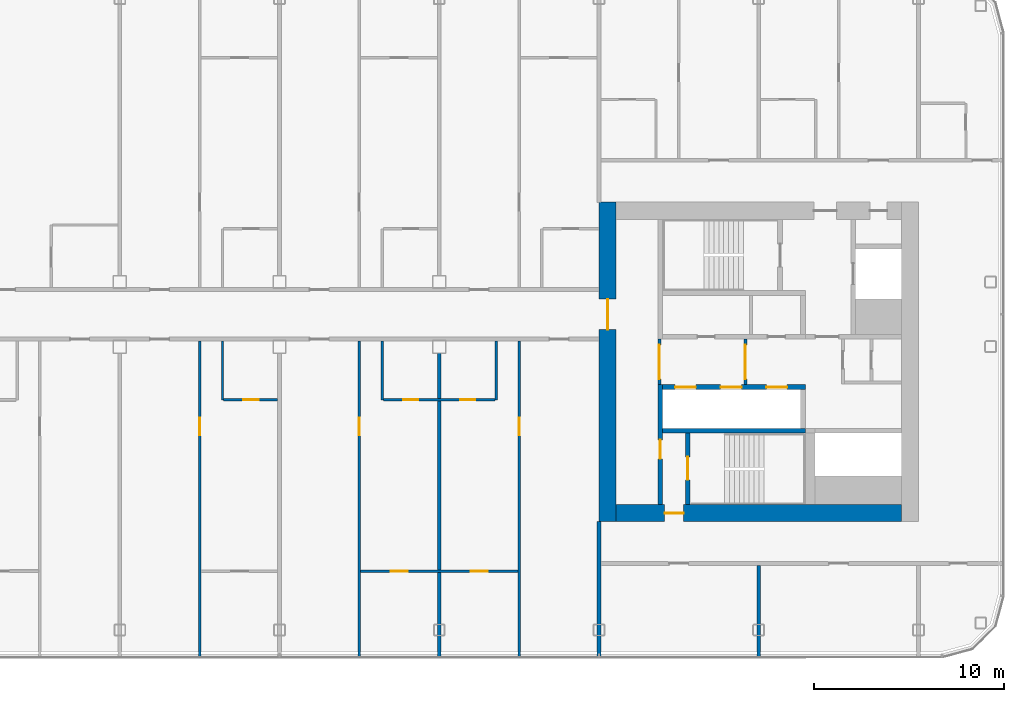
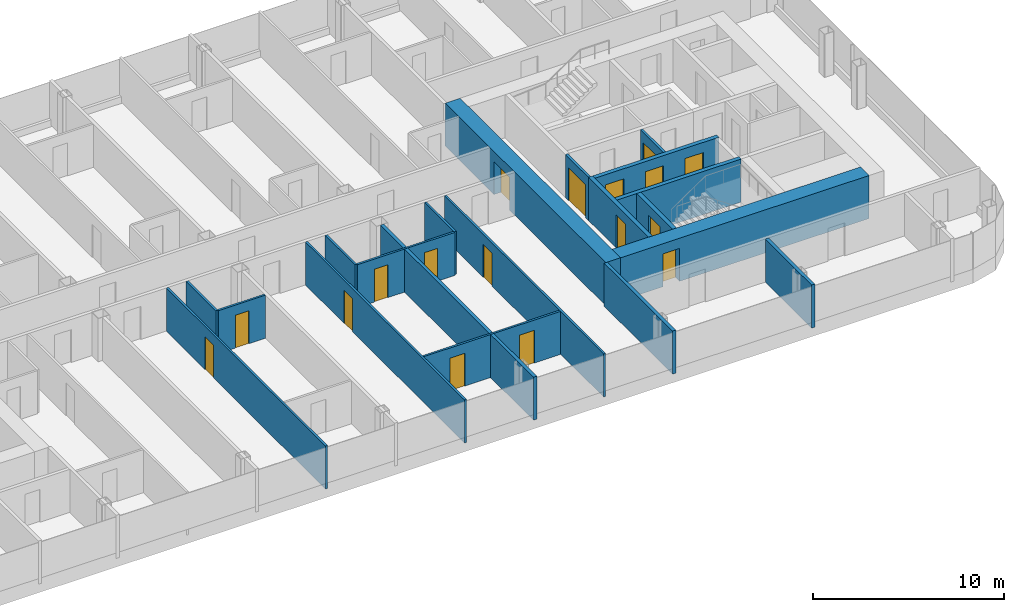
# One storey, part 15 of 26: 20 walls, 17 doors, 17 openings.
"""IFC4 building model written with IfcOpenShell, lengths in metres."""

import ifcopenshell
import ifcopenshell.guid

model = None  # the IFC model being written
_history = None  # IfcOwnerHistory: only IFC2X3 demands one
_inside = {}  # id of a spatial element -> (the spatial element, [elements in it])
_under = {}  # id of a project, library or spatial element -> (it, [spatial elements below it])
_declared = {}  # id of a project -> (the project, [libraries it declares])
_typed = {}  # id of a type object -> (the type object, [elements of that type])
_made_of = {}  # id of a material, layer set ... -> (it, [elements and type objects made of it])


def new_model(schema):
    """Start an empty IFC model of exactly this schema.

    Asked for "IFC4X3", IfcOpenShell would pick the latest addendum, in which some entities
    have other attributes; the version numbers below select the first issue.
    IFC2X3 requires an IfcOwnerHistory on every rooted entity: one is made here for all.
    """
    global model, _history
    if schema == "IFC4X3":
        model = ifcopenshell.file(schema_version=(4, 3, 0, 0))
    else:
        model = ifcopenshell.file(schema=schema)
    _inside.clear()
    _under.clear()
    _declared.clear()
    _typed.clear()
    _made_of.clear()
    _history = None
    if model.schema == "IFC2X3":
        org = make("IfcOrganization", Name="unknown")
        user = make(
            "IfcPersonAndOrganization",
            ThePerson=make("IfcPerson", FamilyName="unknown"),
            TheOrganization=org,
        )
        app = make(
            "IfcApplication",
            ApplicationDeveloper=org,
            Version="unknown",
            ApplicationFullName="unknown",
            ApplicationIdentifier="unknown",
        )
        _history = make(
            "IfcOwnerHistory",
            OwningUser=user,
            OwningApplication=app,
            ChangeAction="ADDED",
            CreationDate=0,
        )
    return model


def make(cls, **values):
    """One entity of the class cls with the attributes given. An attribute that is None is left unset."""
    return model.create_entity(
        cls, **{name: value for name, value in values.items() if value is not None}
    )


def rooted(cls, **values):
    """An entity with a GlobalId (a new one), such as an element, a storey or a relation."""
    return make(cls, GlobalId=ifcopenshell.guid.new(), OwnerHistory=_history, **values)


def si_unit(unit_type, name, prefix=None):
    """IfcSIUnit, for example si_unit("LENGTHUNIT", "METRE", prefix="MILLI")."""
    return make("IfcSIUnit", UnitType=unit_type, Prefix=prefix, Name=name)


def assignment(units):
    """IfcUnitAssignment: the units of a project."""
    return None if units is None else make("IfcUnitAssignment", Units=units)


def point(xyz):
    """IfcCartesianPoint."""
    return None if xyz is None else make("IfcCartesianPoint", Coordinates=xyz)


def direction(xyz):
    """IfcDirection."""
    return None if xyz is None else make("IfcDirection", DirectionRatios=xyz)


def frame(location, z_axis=None, x_axis=None):
    """IfcAxis2Placement3D, a coordinate frame: its origin and axes. An axis left out is left unset."""
    return make(
        "IfcAxis2Placement3D",
        Location=point(location),
        Axis=direction(z_axis),
        RefDirection=direction(x_axis),
    )


def frame_2d(location, x_axis=None):
    """IfcAxis2Placement2D, a coordinate frame in the plane: its origin and x axis."""
    return make(
        "IfcAxis2Placement2D", Location=point(location), RefDirection=direction(x_axis)
    )


def origin():
    """The frame at (0, 0, 0) with its axes left unset."""
    return frame((0.0, 0.0, 0.0))


def place(relative_to, where):
    """IfcLocalPlacement: puts the frame where relative to a parent placement (None: the world)."""
    return make(
        "IfcLocalPlacement", PlacementRelTo=relative_to, RelativePlacement=where
    )


def context(
    kind, dimensions, precision=None, world=None, true_north=None, identifier=None
):
    """IfcGeometricRepresentationContext, for example the 3D "Model" context."""
    return make(
        "IfcGeometricRepresentationContext",
        ContextIdentifier=identifier,
        ContextType=kind,
        CoordinateSpaceDimension=dimensions,
        Precision=precision,
        WorldCoordinateSystem=world,
        TrueNorth=true_north,
    )


def subcontext(parent, identifier, kind, view, scale=None):
    """IfcGeometricRepresentationSubContext, for example "Body" below "Model"."""
    return make(
        "IfcGeometricRepresentationSubContext",
        ContextIdentifier=identifier,
        ContextType=kind,
        ParentContext=parent,
        TargetScale=scale,
        TargetView=view,
    )


def project(units=None, contexts=None):
    """IfcProject with its units and contexts."""
    return rooted(
        "IfcProject",
        Name="project",
        RepresentationContexts=contexts,
        UnitsInContext=assignment(units),
    )


def spatial(cls, under=None, at=None, **own):
    """A site, building, storey or space (cls), placed at a placement, below another one or the project."""
    s = rooted(cls, ObjectPlacement=at, **own)
    if under is not None:
        _under.setdefault(under.id(), (under, []))[1].append(s)
    return s


def profile(cls, at=None, kind="AREA", **sizes):
    """A parametric profile (cls). Its sizes go by their IFC names, for example OverallWidth=200.0."""
    return make(cls, ProfileType=kind, Position=at, **sizes)


def rectangle(**sizes):
    """IfcRectangleProfileDef."""
    return profile("IfcRectangleProfileDef", **sizes)


def extrude(swept, where, along, depth):
    """IfcExtrudedAreaSolid: the profile swept, set in the frame where, extruded along a direction by depth."""
    return make(
        "IfcExtrudedAreaSolid",
        SweptArea=swept,
        Position=where,
        ExtrudedDirection=direction(along),
        Depth=depth,
    )


def shape(context_of_items, identifier, shape_type, items):
    """IfcShapeRepresentation: the items that make up one representation, for example the "Body"."""
    return make(
        "IfcShapeRepresentation",
        ContextOfItems=context_of_items,
        RepresentationIdentifier=identifier,
        RepresentationType=shape_type,
        Items=items,
    )


def material(Name=None, Category=None):
    """IfcMaterial."""
    return make("IfcMaterial", Name=Name, Category=Category)


def layer(
    of_material, thickness, ventilated=None, Name=None, Category=None, Priority=None
):
    """IfcMaterialLayer: one layer of a wall or slab, of a material (None: an air gap)."""
    return make(
        "IfcMaterialLayer",
        Material=of_material,
        LayerThickness=thickness,
        IsVentilated=ventilated,
        Name=Name,
        Category=Category,
        Priority=Priority,
    )


def layer_set(layers, Name=None):
    """IfcMaterialLayerSet."""
    return make("IfcMaterialLayerSet", MaterialLayers=layers, LayerSetName=Name)


def made_of(thing, what):
    """Note that an element or type object is made of a material, layer set ...; save() writes the relation."""
    if what is not None:
        _made_of.setdefault(what.id(), (what, []))[1].append(thing)
    return thing


def type_object(cls, material=None, **own):
    """A type object (cls), such as IfcWallType, which elements share."""
    return made_of(rooted(cls, **own), material)


def element(
    cls,
    number,
    at=None,
    inside=None,
    cuts=None,
    type_object=None,
    material=None,
    context=None,
    identifier="Body",
    shape_type=None,
    held_by="IfcProductDefinitionShape",
    body=None,
    shapes=None,
    **own,
):
    """One element of the class cls, such as IfcWall. Its Tag is "e" and its number.

    at: its placement. inside: the storey or other place that contains it. cuts: it is an
    opening in that element (IfcRelVoidsElement). A single representation is given by context,
    identifier, shape_type and body (its items); several are given by shapes. held_by: the class
    of the entity that holds the representations. save() writes the other relations.
    """
    e = rooted(cls, Tag="e%d" % number, ObjectPlacement=at, **own)
    if body is not None:
        shapes = [shape(context, identifier, shape_type, body)]
    if shapes is not None:
        e.Representation = make(held_by, Representations=shapes)
    if inside is not None:
        _inside.setdefault(inside.id(), (inside, []))[1].append(e)
    if cuts is not None:
        rooted(
            "IfcRelVoidsElement", RelatingBuildingElement=cuts, RelatedOpeningElement=e
        )
    if type_object is not None:
        _typed.setdefault(type_object.id(), (type_object, []))[1].append(e)
    return made_of(e, material)


def fill(opening, filler):
    """IfcRelFillsElement: the door or window that sits in an opening."""
    return rooted(
        "IfcRelFillsElement",
        RelatingOpeningElement=opening,
        RelatedBuildingElement=filler,
    )


def aggregate(whole, parts):
    """IfcRelAggregates: a whole, such as a stair, and the parts it consists of."""
    return rooted("IfcRelAggregates", RelatingObject=whole, RelatedObjects=parts)


def save(model, path):
    """Write the relations noted so far, then the file.

    IfcRelAggregates (storeys below a building ...), IfcRelContainedInSpatialStructure (elements
    in a storey), IfcRelDefinesByType, IfcRelAssociatesMaterial and IfcRelDeclares: one each for
    every whole, place, type object, material and project.
    """
    for whole, parts in _under.values():
        aggregate(whole, parts)
    for where, things in _inside.values():
        rooted(
            "IfcRelContainedInSpatialStructure",
            RelatedElements=things,
            RelatingStructure=where,
        )
    for kind, things in _typed.values():
        rooted("IfcRelDefinesByType", RelatedObjects=things, RelatingType=kind)
    for what, things in _made_of.values():
        rooted("IfcRelAssociatesMaterial", RelatedObjects=things, RelatingMaterial=what)
    for by, libraries in _declared.values():
        rooted("IfcRelDeclares", RelatingContext=by, RelatedDefinitions=libraries)
    model.write(path)


model = new_model("IFC4")

# Units and contexts
model_context = context("Model", 3, precision=1e-05, world=origin(), true_north=direction((0.0, 1.0)))
body_context = subcontext(model_context, "Body", "Model", "MODEL_VIEW")
ifc_project = project(units=[si_unit("LENGTHUNIT", "METRE"), si_unit("AREAUNIT", "SQUARE_METRE"), si_unit("VOLUMEUNIT", "CUBIC_METRE"), si_unit("PLANEANGLEUNIT", "RADIAN"), si_unit("MASSUNIT", "GRAM", prefix="KILO")], contexts=[model_context])

# Site, building, storey
site_placement = place(None, origin())
site = spatial("IfcSite", under=ifc_project, at=site_placement, CompositionType="ELEMENT")
building_placement = place(site_placement, origin())
building = spatial("IfcBuilding", under=site, at=building_placement, Name="Hakoniwa Tower and Hamabe Station Hall", CompositionType="ELEMENT")
storey_placement = place(building_placement, frame((0.0, 0.0, 215.39990234375)))
storey = spatial("IfcBuildingStorey", under=building, at=storey_placement, Name="L61", CompositionType="ELEMENT", Elevation=215.39990234375)

# Wall, opening, door
ifc_material_1 = material(Name="Gypsum board partition", Category="gypsum")
ifc_layer_1 = layer(ifc_material_1, 0.125)
ifc_layer_set_1 = layer_set([ifc_layer_1], Name="Bathroom Partition 125")
wall_type_1 = type_object("IfcWallType", Name="Bathroom Partition 125", PredefinedType="PARTITIONING", material=ifc_layer_set_1)
wall_1_placement = place(storey_placement, frame((-2.9375, -2.0, 0.0), z_axis=(0.0, 0.0, 1.0), x_axis=(1.0, 0.0, 0.0)))
wall_1 = element("IfcWall", 1, at=wall_1_placement, inside=storey, type_object=wall_type_1, Name="GW-L61-007", PredefinedType="PARTITIONING", context=body_context, shape_type="SweptSolid", body=[
    extrude(rectangle(XDim=2.83740234375, YDim=0.125, at=frame_2d((1.418701171875, 0.0))), origin(), (0.0, 0.0, 1.0), 2.75),
])
opening_1_placement = place(wall_1_placement, frame((1.03759765625, 0.0, 0.0)))
opening_1 = element("IfcOpeningElement", 2, at=opening_1_placement, cuts=wall_1, Name="Opening GD-G4E1-14", PredefinedType="OPENING", context=body_context, shape_type="SweptSolid", body=[
    extrude(rectangle(XDim=0.800048828125, YDim=2.10009765625, at=frame_2d((0.39990234375, 1.050048828125))), frame((0.0, 0.072509765625, 0.0), z_axis=(0.0, -1.0, 0.0), x_axis=(1.0, 0.0, 0.0)), (0.0, 0.0, 1.0), 0.14501953125),
])
ifc_material_2 = material(Name="Timber door leaf", Category="wood")
door_type_1 = type_object("IfcDoorType", Name="Bathroom Door 800", OperationType="SINGLE_SWING_LEFT", PredefinedType="DOOR", material=ifc_material_2)
door_1_placement = place(opening_1_placement, origin())
door_1 = element("IfcDoor", 3, at=door_1_placement, inside=storey, type_object=door_type_1, Name="Door GD-G4E1-14", OperationType="SINGLE_SWING_RIGHT", OverallHeight=2.10009765625, OverallWidth=0.800048828125, PredefinedType="DOOR", context=body_context, shape_type="SweptSolid", body=[
    extrude(rectangle(XDim=0.800048828125, YDim=2.10009765625, at=frame_2d((0.39990234375, 1.050048828125))), frame((0.0, 0.02490234375, 0.0), z_axis=(0.0, -1.0, 0.0), x_axis=(1.0, 0.0, 0.0)), (0.0, 0.0, 1.0), 0.050048828125),
])
fill(opening_1, door_1)

# Wall, openings, doors
wall_2_placement = place(storey_placement, frame((5.46240234375, -2.0, 0.0), z_axis=(0.0, 0.0, 1.0), x_axis=(1.0, 0.0, 0.0)))
wall_2 = element("IfcWall", 4, at=wall_2_placement, inside=storey, type_object=wall_type_1, Name="GW-L61-008", PredefinedType="PARTITIONING", context=body_context, shape_type="SweptSolid", body=[
    extrude(rectangle(XDim=5.875, YDim=0.125, at=frame_2d((2.9375, 0.0))), origin(), (0.0, 0.0, 1.0), 2.75),
])
opening_2_placement = place(wall_2_placement, frame((1.03759765625, 0.0, 0.0)))
opening_2 = element("IfcOpeningElement", 5, at=opening_2_placement, cuts=wall_2, Name="Opening GD-G4E1-15", PredefinedType="OPENING", context=body_context, shape_type="SweptSolid", body=[
    extrude(rectangle(XDim=0.800048828125, YDim=2.10009765625, at=frame_2d((0.39990234375, 1.050048828125))), frame((0.0, 0.072509765625, 0.0), z_axis=(0.0, -1.0, 0.0), x_axis=(1.0, 0.0, 0.0)), (0.0, 0.0, 1.0), 0.14501953125),
])
opening_3_placement = place(wall_2_placement, frame((4.03759765625, 0.0, 0.0)))
opening_3 = element("IfcOpeningElement", 6, at=opening_3_placement, cuts=wall_2, Name="Opening GD-G4E1-16", PredefinedType="OPENING", context=body_context, shape_type="SweptSolid", body=[
    extrude(rectangle(XDim=0.800048828125, YDim=2.10009765625, at=frame_2d((0.39990234375, 1.050048828125))), frame((0.0, 0.072509765625, 0.0), z_axis=(0.0, -1.0, 0.0), x_axis=(1.0, 0.0, 0.0)), (0.0, 0.0, 1.0), 0.14501953125),
])
door_2_placement = place(opening_2_placement, origin())
door_2 = element("IfcDoor", 7, at=door_2_placement, inside=storey, type_object=door_type_1, Name="Door GD-G4E1-15", OperationType="SINGLE_SWING_LEFT", OverallHeight=2.10009765625, OverallWidth=0.800048828125, PredefinedType="DOOR", context=body_context, shape_type="SweptSolid", body=[
    extrude(rectangle(XDim=0.800048828125, YDim=2.10009765625, at=frame_2d((0.39990234375, 1.050048828125))), frame((0.0, 0.02490234375, 0.0), z_axis=(0.0, -1.0, 0.0), x_axis=(1.0, 0.0, 0.0)), (0.0, 0.0, 1.0), 0.050048828125),
])
fill(opening_2, door_2)
door_3_placement = place(opening_3_placement, origin())
door_3 = element("IfcDoor", 8, at=door_3_placement, inside=storey, type_object=door_type_1, Name="Door GD-G4E1-16", OperationType="SINGLE_SWING_RIGHT", OverallHeight=2.10009765625, OverallWidth=0.800048828125, PredefinedType="DOOR", context=body_context, shape_type="SweptSolid", body=[
    extrude(rectangle(XDim=0.800048828125, YDim=2.10009765625, at=frame_2d((0.39990234375, 1.050048828125))), frame((0.0, 0.02490234375, 0.0), z_axis=(0.0, -1.0, 0.0), x_axis=(1.0, 0.0, 0.0)), (0.0, 0.0, 1.0), 0.050048828125),
])
fill(opening_3, door_3)

# Walls
for number, where, z_axis, x_axis, name in (
    (9, (-3.0, -2.0, 0.0), (0.0, 0.0, 1.0), (0.0, 1.0, 0.0), "GW-L61-040"),
    (10, (5.39990234375, -2.0, 0.0), (0.0, 0.0, 1.0), (0.0, 1.0, 0.0), "GW-L61-046"),
    (11, (11.39990234375, -2.0, 0.0), (0.0, 0.0, 1.0), (0.0, 1.0, 0.0), "GW-L61-050"),
):
    element("IfcWall", number, at=place(storey_placement, frame(where, z_axis=z_axis, x_axis=x_axis)), inside=storey, type_object=wall_type_1, Name=name, PredefinedType="PARTITIONING", context=body_context, shape_type="SweptSolid", body=[
        extrude(rectangle(XDim=3.10009765625, YDim=0.125, at=frame_2d((1.550048828125, 0.0))), origin(), (0.0, 0.0, 1.0), 2.75),
    ])

# Wall, opening, door
ifc_material_3 = material(Name="Gypsum board partition")
ifc_layer_2 = layer(ifc_material_3, 0.14990234375)
ifc_layer_set_2 = layer_set([ifc_layer_2], Name="CORE PARTITION 150 EI 60")
wall_type_2 = type_object("IfcWallType", Name="CORE PARTITION 150 EI 60", PredefinedType="PARTITIONING", material=ifc_layer_set_2)
wall_3_placement = place(storey_placement, frame((19.97509765625, -1.199951171875, 0.0), z_axis=(0.0, 0.0, 1.0), x_axis=(0.0, 1.0, 0.0)))
wall_3 = element("IfcWall", 12, at=wall_3_placement, inside=storey, type_object=wall_type_2, Name="Core partition PL0 east", PredefinedType="PARTITIONING", context=body_context, shape_type="SweptSolid", body=[
    extrude(rectangle(XDim=2.39990234375, YDim=0.14990234375, at=frame_2d((1.199951171875, 0.0))), origin(), (0.0, 0.0, 1.0), 2.75),
])
opening_4_placement = place(wall_3_placement, frame((0.300048828125, 0.0, 0.0)))
opening_4 = element("IfcOpeningElement", 13, at=opening_4_placement, cuts=wall_3, Name="Opening CD-E-LP0-18", PredefinedType="OPENING", context=body_context, shape_type="SweptSolid", body=[
    extrude(rectangle(XDim=1.800048828125, YDim=2.10009765625, at=frame_2d((0.89990234375, 1.050048828125))), frame((0.0, 0.0849609375, 0.0), z_axis=(0.0, -1.0, 0.0), x_axis=(1.0, 0.0, 0.0)), (0.0, 0.0, 1.0), 0.169921875),
])
ifc_material_4 = material(Name="Steel fire door", Category="steel")
door_type_2 = type_object("IfcDoorType", Name="CORE DOOR 1800 FD60", OperationType="DOUBLE_DOOR_SINGLE_SWING", PredefinedType="DOOR", material=ifc_material_4)
door_4_placement = place(opening_4_placement, origin())
door_4 = element("IfcDoor", 14, at=door_4_placement, inside=storey, type_object=door_type_2, Name="Lift lobby partition door", OperationType="DOUBLE_DOOR_SINGLE_SWING", OverallHeight=2.10009765625, OverallWidth=1.800048828125, PredefinedType="DOOR", context=body_context, shape_type="SweptSolid", body=[
    extrude(rectangle(XDim=1.800048828125, YDim=2.10009765625, at=frame_2d((0.89990234375, 1.050048828125))), frame((0.0, 0.02490234375, 0.0), z_axis=(0.0, -1.0, 0.0), x_axis=(1.0, 0.0, 0.0)), (0.0, 0.0, 1.0), 0.050048828125),
])
fill(opening_4, door_4)

wall_4_placement = place(storey_placement, frame((24.5, -1.199951171875, 0.0), z_axis=(0.0, 0.0, 1.0), x_axis=(0.0, 1.0, 0.0)))
wall_4 = element("IfcWall", 15, at=wall_4_placement, inside=storey, type_object=wall_type_2, Name="Core partition PL1 east", PredefinedType="PARTITIONING", context=body_context, shape_type="SweptSolid", body=[
    extrude(rectangle(XDim=2.39990234375, YDim=0.14990234375, at=frame_2d((1.199951171875, 0.0))), origin(), (0.0, 0.0, 1.0), 2.75),
])
opening_5_placement = place(wall_4_placement, frame((0.300048828125, 0.0, 0.0)))
opening_5 = element("IfcOpeningElement", 16, at=opening_5_placement, cuts=wall_4, Name="Opening CD-E-LP1-18", PredefinedType="OPENING", context=body_context, shape_type="SweptSolid", body=[
    extrude(rectangle(XDim=1.800048828125, YDim=2.10009765625, at=frame_2d((0.89990234375, 1.050048828125))), frame((0.0, 0.0849609375, 0.0), z_axis=(0.0, -1.0, 0.0), x_axis=(1.0, 0.0, 0.0)), (0.0, 0.0, 1.0), 0.169921875),
])
door_5_placement = place(opening_5_placement, origin())
door_5 = element("IfcDoor", 17, at=door_5_placement, inside=storey, type_object=door_type_2, Name="Lift lobby partition door", OperationType="DOUBLE_DOOR_SINGLE_SWING", OverallHeight=2.10009765625, OverallWidth=1.800048828125, PredefinedType="DOOR", context=body_context, shape_type="SweptSolid", body=[
    extrude(rectangle(XDim=1.800048828125, YDim=2.10009765625, at=frame_2d((0.89990234375, 1.050048828125))), frame((0.0, 0.02490234375, 0.0), z_axis=(0.0, -1.0, 0.0), x_axis=(1.0, 0.0, 0.0)), (0.0, 0.0, 1.0), 0.050048828125),
])
fill(opening_5, door_5)

ifc_material_5 = material(Name="Concrete C60", Category="concrete")
ifc_layer_3 = layer(ifc_material_5, 0.89990234375)
ifc_layer_set_3 = layer_set([ifc_layer_3], Name="CORE WALL 900 C60")
wall_type_3 = type_object("IfcWallType", Name="CORE WALL 900 C60", PredefinedType="SHEAR", material=ifc_layer_set_3)
wall_5_placement = place(storey_placement, frame((17.25, -8.39990234375, 0.0), z_axis=(0.0, 0.0, 1.0), x_axis=(0.0, 1.0, 0.0)))
wall_5 = element("IfcWall", 18, at=wall_5_placement, inside=storey, type_object=wall_type_3, Name="Core wall INNER east", PredefinedType="SHEAR", context=body_context, shape_type="SweptSolid", body=[
    extrude(rectangle(XDim=16.7998046875, YDim=0.89990234375, at=frame_2d((8.39990234375, 0.0))), origin(), (0.0, 0.0, 1.0), 2.75),
])
opening_6_placement = place(wall_5_placement, frame((10.10009765625, 0.0, 0.0)))
opening_6 = element("IfcOpeningElement", 19, at=opening_6_placement, cuts=wall_5, Name="Opening CD-E-IN1-16", PredefinedType="OPENING", context=body_context, shape_type="SweptSolid", body=[
    extrude(rectangle(XDim=1.60009765625, YDim=2.10009765625, at=frame_2d((0.800048828125, 1.050048828125))), frame((0.0, 0.4599609375, 0.0), z_axis=(0.0, -1.0, 0.0), x_axis=(1.0, 0.0, 0.0)), (0.0, 0.0, 1.0), 0.919921875),
])
ifc_material_6 = material(Name="Steel fire door", Category="steel")
door_type_3 = type_object("IfcDoorType", Name="CORE DOOR 1600 FD60", OperationType="DOUBLE_DOOR_SINGLE_SWING", PredefinedType="DOOR", material=ifc_material_6)
door_6_placement = place(opening_6_placement, origin())
door_6 = element("IfcDoor", 20, at=door_6_placement, inside=storey, type_object=door_type_3, Name="Lift lobby door", OperationType="DOUBLE_DOOR_SINGLE_SWING", OverallHeight=2.10009765625, OverallWidth=1.60009765625, PredefinedType="DOOR", context=body_context, shape_type="SweptSolid", body=[
    extrude(rectangle(XDim=1.60009765625, YDim=2.10009765625, at=frame_2d((0.800048828125, 1.050048828125))), frame((0.0, 0.02490234375, 0.0), z_axis=(0.0, -1.0, 0.0), x_axis=(1.0, 0.0, 0.0)), (0.0, 0.0, 1.0), 0.050048828125),
])
fill(opening_6, door_6)

wall_6_placement = place(storey_placement, frame((17.699951171875, -7.949951171875, 0.0), z_axis=(0.0, 0.0, 1.0), x_axis=(1.0, 0.0, 0.0)))
wall_6 = element("IfcWall", 21, at=wall_6_placement, inside=storey, type_object=wall_type_3, Name="Core wall SOUTH east", PredefinedType="SHEAR", context=body_context, shape_type="SweptSolid", body=[
    extrude(rectangle(XDim=15.0, YDim=0.89990234375, at=frame_2d((7.5, 0.0))), origin(), (0.0, 0.0, 1.0), 2.75),
])
opening_7_placement = place(wall_6_placement, frame((2.550048828125, 0.0, 0.0)))
opening_7 = element("IfcOpeningElement", 22, at=opening_7_placement, cuts=wall_6, Name="Opening CD-E-FS3-10", PredefinedType="OPENING", context=body_context, shape_type="SweptSolid", body=[
    extrude(rectangle(XDim=1.0, YDim=2.10009765625, at=frame_2d((0.5, 1.050048828125))), frame((0.0, 0.4599609375, 0.0), z_axis=(0.0, -1.0, 0.0), x_axis=(1.0, 0.0, 0.0)), (0.0, 0.0, 1.0), 0.919921875),
])
ifc_material_7 = material(Name="Steel fire door", Category="steel")
door_type_4 = type_object("IfcDoorType", Name="CORE DOOR 1000 FD60", OperationType="NOTDEFINED", PredefinedType="DOOR", material=ifc_material_7)
door_7_placement = place(opening_7_placement, origin())
door_7 = element("IfcDoor", 23, at=door_7_placement, inside=storey, type_object=door_type_4, Name="Stair vestibule door", OperationType="SINGLE_SWING_LEFT", OverallHeight=2.10009765625, OverallWidth=1.0, PredefinedType="DOOR", context=body_context, shape_type="SweptSolid", body=[
    extrude(rectangle(XDim=1.0, YDim=2.10009765625, at=frame_2d((0.5, 1.050048828125))), frame((0.0, 0.02490234375, 0.0), z_axis=(0.0, -1.0, 0.0), x_axis=(1.0, 0.0, 0.0)), (0.0, 0.0, 1.0), 0.050048828125),
])
fill(opening_7, door_7)

ifc_material_8 = material(Name="Concrete C60", Category="concrete")
ifc_layer_4 = layer(ifc_material_8, 0.25)
ifc_layer_set_4 = layer_set([ifc_layer_4], Name="CORE WEB WALL 250 C60")
wall_type_4 = type_object("IfcWallType", Name="CORE WEB WALL 250 C60", PredefinedType="SHEAR", material=ifc_layer_set_4)
wall_7_placement = place(storey_placement, frame((20.02490234375, -7.5, 0.0), z_axis=(0.0, 0.0, 1.0), x_axis=(0.0, 1.0, 0.0)))
wall_7 = element("IfcWall", 24, at=wall_7_placement, inside=storey, type_object=wall_type_4, Name="Core wall W1S east", PredefinedType="SHEAR", context=body_context, shape_type="SweptSolid", body=[
    extrude(rectangle(XDim=6.300048828125, YDim=0.25, at=frame_2d((3.14990234375, 0.0))), origin(), (0.0, 0.0, 1.0), 2.75),
])
opening_8_placement = place(wall_7_placement, frame((2.39990234375, 0.0, 0.0)))
opening_8 = element("IfcOpeningElement", 25, at=opening_8_placement, cuts=wall_7, Name="Opening CD-E-VS-10", PredefinedType="OPENING", context=body_context, shape_type="SweptSolid", body=[
    extrude(rectangle(XDim=1.0, YDim=2.10009765625, at=frame_2d((0.5, 1.050048828125))), frame((0.0, 0.135009765625, 0.0), z_axis=(0.0, -1.0, 0.0), x_axis=(1.0, 0.0, 0.0)), (0.0, 0.0, 1.0), 0.27001953125),
])
door_8_placement = place(opening_8_placement, origin())
door_8 = element("IfcDoor", 26, at=door_8_placement, inside=storey, type_object=door_type_4, Name="Stair vestibule door", OperationType="SINGLE_SWING_RIGHT", OverallHeight=2.10009765625, OverallWidth=1.0, PredefinedType="DOOR", context=body_context, shape_type="SweptSolid", body=[
    extrude(rectangle(XDim=1.0, YDim=2.10009765625, at=frame_2d((0.5, 1.050048828125))), frame((0.0, 0.02490234375, 0.0), z_axis=(0.0, -1.0, 0.0), x_axis=(1.0, 0.0, 0.0)), (0.0, 0.0, 1.0), 0.050048828125),
])
fill(opening_8, door_8)

# Wall, openings, doors
wall_8_placement = place(storey_placement, frame((20.14990234375, -1.324951171875, 0.0), z_axis=(0.0, 0.0, 1.0), x_axis=(1.0, 0.0, 0.0)))
wall_8 = element("IfcWall", 27, at=wall_8_placement, inside=storey, type_object=wall_type_4, Name="Core wall SF east", PredefinedType="SHEAR", context=body_context, shape_type="SweptSolid", body=[
    extrude(rectangle(XDim=7.5, YDim=0.25, at=frame_2d((3.75, 0.0))), origin(), (0.0, 0.0, 1.0), 2.75),
])
opening_9_placement = place(wall_8_placement, frame((0.64990234375, 0.0, 0.0)))
opening_9 = element("IfcOpeningElement", 28, at=opening_9_placement, cuts=wall_8, Name="Opening LD-HR4", PredefinedType="OPENING", context=body_context, shape_type="SweptSolid", body=[
    extrude(rectangle(XDim=1.10009765625, YDim=2.10009765625, at=frame_2d((0.550048828125, 1.050048828125))), frame((0.0, 0.135009765625, 0.0), z_axis=(0.0, -1.0, 0.0), x_axis=(1.0, 0.0, 0.0)), (0.0, 0.0, 1.0), 0.27001953125),
])
opening_10_placement = place(wall_8_placement, frame((3.050048828125, 0.0, 0.0)))
opening_10 = element("IfcOpeningElement", 29, at=opening_10_placement, cuts=wall_8, Name="Opening LD-HR5", PredefinedType="OPENING", context=body_context, shape_type="SweptSolid", body=[
    extrude(rectangle(XDim=1.10009765625, YDim=2.10009765625, at=frame_2d((0.550048828125, 1.050048828125))), frame((0.0, 0.135009765625, 0.0), z_axis=(0.0, -1.0, 0.0), x_axis=(1.0, 0.0, 0.0)), (0.0, 0.0, 1.0), 0.27001953125),
])
opening_11_placement = place(wall_8_placement, frame((5.449951171875, 0.0, 0.0)))
opening_11 = element("IfcOpeningElement", 30, at=opening_11_placement, cuts=wall_8, Name="Opening LD-HR6", PredefinedType="OPENING", context=body_context, shape_type="SweptSolid", body=[
    extrude(rectangle(XDim=1.10009765625, YDim=2.10009765625, at=frame_2d((0.550048828125, 1.050048828125))), frame((0.0, 0.135009765625, 0.0), z_axis=(0.0, -1.0, 0.0), x_axis=(1.0, 0.0, 0.0)), (0.0, 0.0, 1.0), 0.27001953125),
])
ifc_material_9 = material(Name="Stainless steel SUS304", Category="steel")
door_type_5 = type_object("IfcDoorType", Name="LIFT LANDING DOOR 1100 FD60", OperationType="DOUBLE_DOOR_SLIDING", PredefinedType="DOOR", material=ifc_material_9)
door_9_placement = place(opening_9_placement, origin())
door_9 = element("IfcDoor", 31, at=door_9_placement, inside=storey, type_object=door_type_5, Name="Lift landing door HR4 L61", OperationType="DOUBLE_DOOR_SLIDING", OverallHeight=2.10009765625, OverallWidth=1.10009765625, PredefinedType="DOOR", context=body_context, shape_type="SweptSolid", body=[
    extrude(rectangle(XDim=1.10009765625, YDim=2.10009765625, at=frame_2d((0.550048828125, 1.050048828125))), frame((0.0, 0.02490234375, 0.0), z_axis=(0.0, -1.0, 0.0), x_axis=(1.0, 0.0, 0.0)), (0.0, 0.0, 1.0), 0.050048828125),
])
fill(opening_9, door_9)
door_10_placement = place(opening_10_placement, origin())
door_10 = element("IfcDoor", 32, at=door_10_placement, inside=storey, type_object=door_type_5, Name="Lift landing door HR5 L61", OperationType="DOUBLE_DOOR_SLIDING", OverallHeight=2.10009765625, OverallWidth=1.10009765625, PredefinedType="DOOR", context=body_context, shape_type="SweptSolid", body=[
    extrude(rectangle(XDim=1.10009765625, YDim=2.10009765625, at=frame_2d((0.550048828125, 1.050048828125))), frame((0.0, 0.02490234375, 0.0), z_axis=(0.0, -1.0, 0.0), x_axis=(1.0, 0.0, 0.0)), (0.0, 0.0, 1.0), 0.050048828125),
])
fill(opening_10, door_10)
door_11_placement = place(opening_11_placement, origin())
door_11 = element("IfcDoor", 33, at=door_11_placement, inside=storey, type_object=door_type_5, Name="Lift landing door HR6 L61", OperationType="DOUBLE_DOOR_SLIDING", OverallHeight=2.10009765625, OverallWidth=1.10009765625, PredefinedType="DOOR", context=body_context, shape_type="SweptSolid", body=[
    extrude(rectangle(XDim=1.10009765625, YDim=2.10009765625, at=frame_2d((0.550048828125, 1.050048828125))), frame((0.0, 0.02490234375, 0.0), z_axis=(0.0, -1.0, 0.0), x_axis=(1.0, 0.0, 0.0)), (0.0, 0.0, 1.0), 0.050048828125),
])
fill(opening_11, door_11)

# Wall
wall_9_placement = place(storey_placement, frame((20.14990234375, -3.625, 0.0), z_axis=(0.0, 0.0, 1.0), x_axis=(1.0, 0.0, 0.0)))
element("IfcWall", 34, at=wall_9_placement, inside=storey, type_object=wall_type_4, Name="Core wall SR east", PredefinedType="SHEAR", context=body_context, shape_type="SweptSolid", body=[
    extrude(rectangle(XDim=7.5, YDim=0.25, at=frame_2d((3.75, 0.0))), origin(), (0.0, 0.0, 1.0), 2.75),
])

# Wall, opening, door
wall_10_placement = place(storey_placement, frame((21.47509765625, -7.5, 0.0), z_axis=(0.0, 0.0, 1.0), x_axis=(0.0, 1.0, 0.0)))
wall_10 = element("IfcWall", 35, at=wall_10_placement, inside=storey, type_object=wall_type_4, Name="Core wall VE east", PredefinedType="SHEAR", context=body_context, shape_type="SweptSolid", body=[
    extrude(rectangle(XDim=3.75, YDim=0.25, at=frame_2d((1.875, 0.0))), origin(), (0.0, 0.0, 1.0), 2.75),
])
opening_12_placement = place(wall_10_placement, frame((1.300048828125, 0.0, 0.0)))
opening_12 = element("IfcOpeningElement", 36, at=opening_12_placement, cuts=wall_10, Name="Opening CD-E-SS-12", PredefinedType="OPENING", context=body_context, shape_type="SweptSolid", body=[
    extrude(rectangle(XDim=1.199951171875, YDim=2.10009765625, at=frame_2d((0.60009765625, 1.050048828125))), frame((0.0, 0.135009765625, 0.0), z_axis=(0.0, -1.0, 0.0), x_axis=(1.0, 0.0, 0.0)), (0.0, 0.0, 1.0), 0.27001953125),
])
ifc_material_10 = material(Name="Steel fire door", Category="steel")
door_type_6 = type_object("IfcDoorType", Name="CORE DOOR 1200 FD60", OperationType="DOUBLE_DOOR_SINGLE_SWING", PredefinedType="DOOR", material=ifc_material_10)
door_12_placement = place(opening_12_placement, origin())
door_12 = element("IfcDoor", 37, at=door_12_placement, inside=storey, type_object=door_type_6, Name="Escape stair door", OperationType="DOUBLE_DOOR_SINGLE_SWING", OverallHeight=2.10009765625, OverallWidth=1.199951171875, PredefinedType="DOOR", context=body_context, shape_type="SweptSolid", body=[
    extrude(rectangle(XDim=1.199951171875, YDim=2.10009765625, at=frame_2d((0.60009765625, 1.050048828125))), frame((0.0, 0.02490234375, 0.0), z_axis=(0.0, -1.0, 0.0), x_axis=(1.0, 0.0, 0.0)), (0.0, 0.0, 1.0), 0.050048828125),
])
fill(opening_12, door_12)

# Walls
ifc_material_11 = material(Name="Fire-rated gypsum board partition", Category="gypsum")
ifc_layer_5 = layer(ifc_material_11, 0.199951171875)
ifc_layer_set_5 = layer_set([ifc_layer_5], Name="Party Wall 200")
wall_type_5 = type_object("IfcWallType", Name="Party Wall 200", PredefinedType="PARTITIONING", material=ifc_layer_set_5)
wall_11_placement = place(storey_placement, frame((8.39990234375, -15.550048828125, 0.0), z_axis=(0.0, 0.0, 1.0), x_axis=(0.0, 1.0, 0.0)))
element("IfcWall", 38, at=wall_11_placement, inside=storey, type_object=wall_type_5, Name="GW-L61-048", PredefinedType="PARTITIONING", context=body_context, shape_type="SweptSolid", body=[
    extrude(rectangle(XDim=16.010009765625, YDim=0.199951171875, at=frame_2d((8.0048828125, 0.0))), origin(), (0.0, 0.0, 1.0), 2.75),
])
wall_12_placement = place(storey_placement, frame((16.800048828125, -15.550048828125, 0.0), z_axis=(0.0, 0.0, 1.0), x_axis=(0.0, 1.0, 0.0)))
element("IfcWall", 39, at=wall_12_placement, inside=storey, type_object=wall_type_5, Name="GW-L61-054", PredefinedType="PARTITIONING", context=body_context, shape_type="SweptSolid", body=[
    extrude(rectangle(XDim=7.16015625, YDim=0.199951171875, at=frame_2d((3.580078125, 0.0))), origin(), (0.0, 0.0, 1.0), 2.75),
])
wall_13_placement = place(storey_placement, frame((25.199951171875, -15.550048828125, 0.0), z_axis=(0.0, 0.0, 1.0), x_axis=(0.0, 1.0, 0.0)))
element("IfcWall", 40, at=wall_13_placement, inside=storey, type_object=wall_type_5, Name="GW-L61-058", PredefinedType="PARTITIONING", context=body_context, shape_type="SweptSolid", body=[
    extrude(rectangle(XDim=4.85009765625, YDim=0.199951171875, at=frame_2d((2.425048828125, 0.0))), origin(), (0.0, 0.0, 1.0), 2.75),
])

# Wall, openings, doors
ifc_material_12 = material(Name="Gypsum board partition", Category="gypsum")
ifc_layer_6 = layer(ifc_material_12, 0.125)
ifc_layer_set_6 = layer_set([ifc_layer_6], Name="Room Partition 125")
wall_type_6 = type_object("IfcWallType", Name="Room Partition 125", PredefinedType="PARTITIONING", material=ifc_layer_set_6)
wall_14_placement = place(storey_placement, frame((4.262451171875, -11.0, 0.0), z_axis=(0.0, 0.0, 1.0), x_axis=(1.0, 0.0, 0.0)))
wall_14 = element("IfcWall", 41, at=wall_14_placement, inside=storey, type_object=wall_type_6, Name="GW-L61-003", PredefinedType="PARTITIONING", context=body_context, shape_type="SweptSolid", body=[
    extrude(rectangle(XDim=8.275146484375, YDim=0.125, at=frame_2d((4.1376953125, 0.0))), origin(), (0.0, 0.0, 1.0), 2.75),
])
opening_13_placement = place(wall_14_placement, frame((1.58740234375, 0.0, 0.0)))
opening_13 = element("IfcOpeningElement", 42, at=opening_13_placement, cuts=wall_14, Name="Opening GD-G4E1-03", PredefinedType="OPENING", context=body_context, shape_type="SweptSolid", body=[
    extrude(rectangle(XDim=0.89990234375, YDim=2.10009765625, at=frame_2d((0.449951171875, 1.050048828125))), frame((0.0, 0.072509765625, 0.0), z_axis=(0.0, -1.0, 0.0), x_axis=(1.0, 0.0, 0.0)), (0.0, 0.0, 1.0), 0.14501953125),
])
opening_14_placement = place(wall_14_placement, frame((5.78759765625, 0.0, 0.0)))
opening_14 = element("IfcOpeningElement", 43, at=opening_14_placement, cuts=wall_14, Name="Opening GD-G4E1-04", PredefinedType="OPENING", context=body_context, shape_type="SweptSolid", body=[
    extrude(rectangle(XDim=0.89990234375, YDim=2.10009765625, at=frame_2d((0.449951171875, 1.050048828125))), frame((0.0, 0.072509765625, 0.0), z_axis=(0.0, -1.0, 0.0), x_axis=(1.0, 0.0, 0.0)), (0.0, 0.0, 1.0), 0.14501953125),
])
ifc_material_13 = material(Name="Timber door leaf", Category="wood")
door_type_7 = type_object("IfcDoorType", Name="Suite Interior Door 900", OperationType="SINGLE_SWING_LEFT", PredefinedType="DOOR", material=ifc_material_13)
door_13_placement = place(opening_13_placement, origin())
door_13 = element("IfcDoor", 44, at=door_13_placement, inside=storey, type_object=door_type_7, Name="Door GD-G4E1-03", OperationType="SINGLE_SWING_LEFT", OverallHeight=2.10009765625, OverallWidth=0.89990234375, PredefinedType="DOOR", context=body_context, shape_type="SweptSolid", body=[
    extrude(rectangle(XDim=0.89990234375, YDim=2.10009765625, at=frame_2d((0.449951171875, 1.050048828125))), frame((0.0, 0.02490234375, 0.0), z_axis=(0.0, -1.0, 0.0), x_axis=(1.0, 0.0, 0.0)), (0.0, 0.0, 1.0), 0.050048828125),
])
fill(opening_13, door_13)
door_14_placement = place(opening_14_placement, origin())
door_14 = element("IfcDoor", 45, at=door_14_placement, inside=storey, type_object=door_type_7, Name="Door GD-G4E1-04", OperationType="SINGLE_SWING_RIGHT", OverallHeight=2.10009765625, OverallWidth=0.89990234375, PredefinedType="DOOR", context=body_context, shape_type="SweptSolid", body=[
    extrude(rectangle(XDim=0.89990234375, YDim=2.10009765625, at=frame_2d((0.449951171875, 1.050048828125))), frame((0.0, 0.02490234375, 0.0), z_axis=(0.0, -1.0, 0.0), x_axis=(1.0, 0.0, 0.0)), (0.0, 0.0, 1.0), 0.050048828125),
])
fill(opening_14, door_14)

# Wall, opening, door
wall_15_placement = place(storey_placement, frame((-4.199951171875, -15.550048828125, 0.0), z_axis=(0.0, 0.0, 1.0), x_axis=(0.0, 1.0, 0.0)))
wall_15 = element("IfcWall", 46, at=wall_15_placement, inside=storey, type_object=wall_type_6, Name="GW-L61-038", PredefinedType="PARTITIONING", context=body_context, shape_type="SweptSolid", body=[
    extrude(rectangle(XDim=16.650146484375, YDim=0.125, at=frame_2d((8.3251953125, 0.0))), origin(), (0.0, 0.0, 1.0), 2.75),
])
opening_15_placement = place(wall_15_placement, frame((11.699951171875, 0.0, 0.0)))
opening_15 = element("IfcOpeningElement", 47, at=opening_15_placement, cuts=wall_15, Name="Opening GD-G4E1-43", PredefinedType="OPENING", context=body_context, shape_type="SweptSolid", body=[
    extrude(rectangle(XDim=0.89990234375, YDim=2.10009765625, at=frame_2d((0.449951171875, 1.050048828125))), frame((0.0, 0.072509765625, 0.0), z_axis=(0.0, -1.0, 0.0), x_axis=(1.0, 0.0, 0.0)), (0.0, 0.0, 1.0), 0.14501953125),
])
door_15_placement = place(opening_15_placement, origin())
door_15 = element("IfcDoor", 48, at=door_15_placement, inside=storey, type_object=door_type_7, Name="Door GD-G4E1-43", OperationType="SINGLE_SWING_LEFT", OverallHeight=2.10009765625, OverallWidth=0.89990234375, PredefinedType="DOOR", context=body_context, shape_type="SweptSolid", body=[
    extrude(rectangle(XDim=0.89990234375, YDim=2.10009765625, at=frame_2d((0.449951171875, 1.050048828125))), frame((0.0, 0.02490234375, 0.0), z_axis=(0.0, -1.0, 0.0), x_axis=(1.0, 0.0, 0.0)), (0.0, 0.0, 1.0), 0.050048828125),
])
fill(opening_15, door_15)

wall_16_placement = place(storey_placement, frame((4.199951171875, -15.550048828125, 0.0), z_axis=(0.0, 0.0, 1.0), x_axis=(0.0, 1.0, 0.0)))
wall_16 = element("IfcWall", 49, at=wall_16_placement, inside=storey, type_object=wall_type_6, Name="GW-L61-044", PredefinedType="PARTITIONING", context=body_context, shape_type="SweptSolid", body=[
    extrude(rectangle(XDim=16.650146484375, YDim=0.125, at=frame_2d((8.3251953125, 0.0))), origin(), (0.0, 0.0, 1.0), 2.75),
])
opening_16_placement = place(wall_16_placement, frame((11.699951171875, 0.0, 0.0)))
opening_16 = element("IfcOpeningElement", 50, at=opening_16_placement, cuts=wall_16, Name="Opening GD-G4E1-45", PredefinedType="OPENING", context=body_context, shape_type="SweptSolid", body=[
    extrude(rectangle(XDim=0.89990234375, YDim=2.10009765625, at=frame_2d((0.449951171875, 1.050048828125))), frame((0.0, 0.072509765625, 0.0), z_axis=(0.0, -1.0, 0.0), x_axis=(1.0, 0.0, 0.0)), (0.0, 0.0, 1.0), 0.14501953125),
])
door_16_placement = place(opening_16_placement, origin())
door_16 = element("IfcDoor", 51, at=door_16_placement, inside=storey, type_object=door_type_7, Name="Door GD-G4E1-45", OperationType="SINGLE_SWING_LEFT", OverallHeight=2.10009765625, OverallWidth=0.89990234375, PredefinedType="DOOR", context=body_context, shape_type="SweptSolid", body=[
    extrude(rectangle(XDim=0.89990234375, YDim=2.10009765625, at=frame_2d((0.449951171875, 1.050048828125))), frame((0.0, 0.02490234375, 0.0), z_axis=(0.0, -1.0, 0.0), x_axis=(1.0, 0.0, 0.0)), (0.0, 0.0, 1.0), 0.050048828125),
])
fill(opening_16, door_16)

wall_17_placement = place(storey_placement, frame((12.60009765625, -15.550048828125, 0.0), z_axis=(0.0, 0.0, 1.0), x_axis=(0.0, 1.0, 0.0)))
wall_17 = element("IfcWall", 52, at=wall_17_placement, inside=storey, type_object=wall_type_6, Name="GW-L61-051", PredefinedType="PARTITIONING", context=body_context, shape_type="SweptSolid", body=[
    extrude(rectangle(XDim=16.650146484375, YDim=0.125, at=frame_2d((8.3251953125, 0.0))), origin(), (0.0, 0.0, 1.0), 2.75),
])
opening_17_placement = place(wall_17_placement, frame((11.699951171875, 0.0, 0.0)))
opening_17 = element("IfcOpeningElement", 53, at=opening_17_placement, cuts=wall_17, Name="Opening GD-G4E1-47", PredefinedType="OPENING", context=body_context, shape_type="SweptSolid", body=[
    extrude(rectangle(XDim=0.89990234375, YDim=2.10009765625, at=frame_2d((0.449951171875, 1.050048828125))), frame((0.0, 0.072509765625, 0.0), z_axis=(0.0, -1.0, 0.0), x_axis=(1.0, 0.0, 0.0)), (0.0, 0.0, 1.0), 0.14501953125),
])
door_17_placement = place(opening_17_placement, origin())
door_17 = element("IfcDoor", 54, at=door_17_placement, inside=storey, type_object=door_type_7, Name="Door GD-G4E1-47", OperationType="SINGLE_SWING_RIGHT", OverallHeight=2.10009765625, OverallWidth=0.89990234375, PredefinedType="DOOR", context=body_context, shape_type="SweptSolid", body=[
    extrude(rectangle(XDim=0.89990234375, YDim=2.10009765625, at=frame_2d((0.449951171875, 1.050048828125))), frame((0.0, 0.02490234375, 0.0), z_axis=(0.0, -1.0, 0.0), x_axis=(1.0, 0.0, 0.0)), (0.0, 0.0, 1.0), 0.050048828125),
])
fill(opening_17, door_17)

save(model, "model.ifc")
